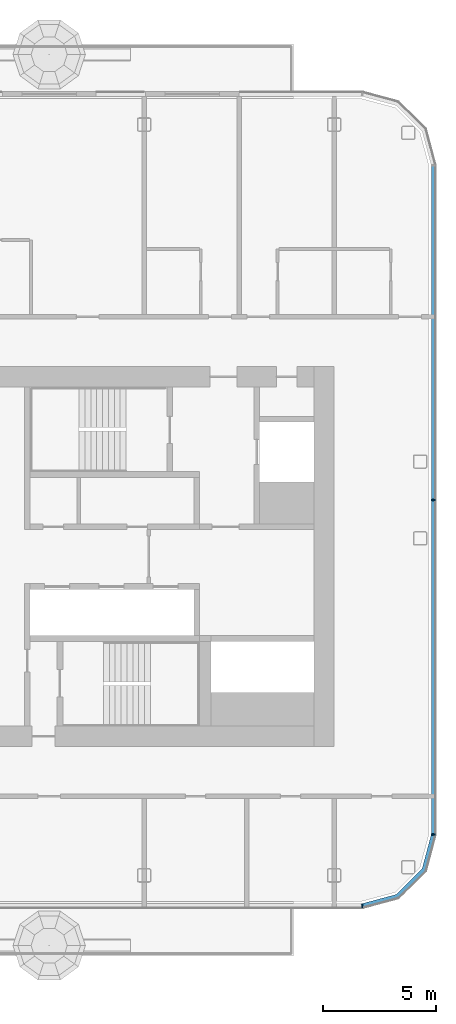
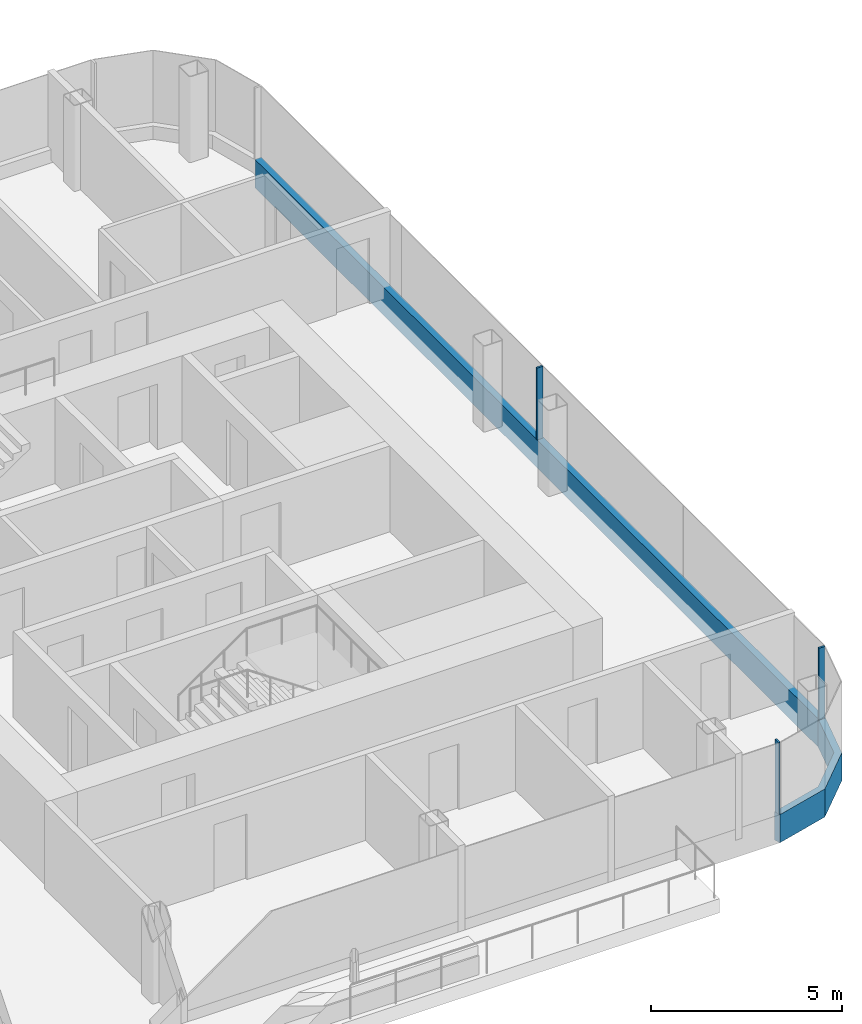
# One storey, part 7 of 28: 5 members, 3 elements without a shape of their own.
"""IFC4 building model written with IfcOpenShell, lengths in metres."""

from ifc_helpers import new_model, si_unit, direction, frame, origin, origin_2d, place, context, subcontext, project, spatial, polyline, rectangle, outline, extrude, material, layer, layer_set, material_profile, profile_set, type_object, element, aggregate, save


model = new_model("IFC4")

# Units and contexts
model_context = context("Model", 3, precision=1e-05, world=origin(), true_north=direction((0.0, 1.0)))
body_context = subcontext(model_context, "Body", "Model", "MODEL_VIEW")
ifc_project = project(units=[si_unit("LENGTHUNIT", "METRE"), si_unit("AREAUNIT", "SQUARE_METRE"), si_unit("VOLUMEUNIT", "CUBIC_METRE"), si_unit("PLANEANGLEUNIT", "RADIAN"), si_unit("MASSUNIT", "GRAM", prefix="KILO")], contexts=[model_context])

# Site, building, storey
site_placement = place(None, origin())
site = spatial("IfcSite", under=ifc_project, at=site_placement, CompositionType="ELEMENT")
building_placement = place(site_placement, origin())
building = spatial("IfcBuilding", under=site, at=building_placement, Name="Hakoniwa Tower and Hamabe Station Hall", CompositionType="ELEMENT")
storey_placement = place(building_placement, frame((0.0, 0.0, 193.0)))
storey = spatial("IfcBuildingStorey", under=building, at=storey_placement, Name="L54", CompositionType="ELEMENT", Elevation=193.0)

# Curtain wall, member
ifc_material_1 = material(Name="Dark low-e laminated glass", Category="glass")
ifc_layer = layer(ifc_material_1, 0.199951171875)
ifc_layer_set = layer_set([ifc_layer], Name="CW-1 UNITISED GUEST")
curtain_wall_type = type_object("IfcCurtainWallType", Name="CW-1 UNITISED GUEST", PredefinedType="NOTDEFINED", material=ifc_layer_set)
curtain_wall_1_placement = place(storey_placement, origin())
curtain_wall_1 = element("IfcCurtainWall", 1, at=curtain_wall_1_placement, inside=storey, type_object=curtain_wall_type, Name="CW-1 curtain wall", PredefinedType="NOTDEFINED")
ifc_material_2 = material(Name="Aluminium 6063-T5 black anodised", Category="aluminium")
ifc_material_profile_1 = material_profile(ifc_material_2, rectangle(XDim=0.199951171875, YDim=0.89990234375, at=origin_2d()), Name="CW SLAB-EDGE BAND 900X200")
ifc_profile_set_1 = profile_set([ifc_material_profile_1], Name="Aluminium 6063-T5 black anodised")
member_type_1 = type_object("IfcMemberType", Name="CW SLAB-EDGE BAND 900X200", PredefinedType="USERDEFINED", material=ifc_profile_set_1)
member_1_placement = place(storey_placement, frame((38.0, -12.28955078125, -0.10009765625), z_axis=(0.0, 1.0, 0.0), x_axis=(-1.0, 0.0, 0.0)))
member_1 = element("IfcMember", 2, at=member_1_placement, type_object=member_type_1, Name="CW-1 transom", ObjectType="TRANSOM", PredefinedType="USERDEFINED", context=body_context, shape_type="SweptSolid", body=[
    extrude(rectangle(XDim=0.199951171875, YDim=0.89990234375, at=origin_2d()), origin(), (0.0, 0.0, 1.0), 29.5791015625),
])

curtain_wall_2_placement = place(storey_placement, origin())
curtain_wall_2 = element("IfcCurtainWall", 3, at=curtain_wall_2_placement, inside=storey, type_object=curtain_wall_type, Name="CW-1 curtain wall", PredefinedType="NOTDEFINED")
member_2_placement = place(storey_placement, frame((0.0, 0.0, -0.550048828125)))
member_2 = element("IfcMember", 4, at=member_2_placement, type_object=member_type_1, Name="CW-1 transom", ObjectType="TRANSOM", PredefinedType="USERDEFINED", context=body_context, shape_type="SweptSolid", body=[
    extrude(outline(polyline([(34.839599609375, -15.550048828125), (36.455322265625, -15.116943359375), (37.6669921875, -13.9052734375), (38.10009765625, -12.28955078125), (37.90673828125, -12.23779296875), (37.48779296875, -13.8017578125), (36.351806640625, -14.937744140625), (34.787841796875, -15.35693359375), (34.839599609375, -15.550048828125)])), origin(), (0.0, 0.0, 1.0), 0.900146484375),
])
aggregate(curtain_wall_2, [member_2])

# Member
ifc_material_3 = material(Name="Aluminium 6063-T5 black anodised", Category="aluminium")
ifc_material_profile_2 = material_profile(ifc_material_3, rectangle(XDim=0.06005859375, YDim=0.179931640625, at=origin_2d()), Name="CW-1 MULLION 60X180")
ifc_profile_set_2 = profile_set([ifc_material_profile_2], Name="Aluminium 6063-T5 black anodised")
member_type_2 = type_object("IfcMemberType", Name="CW-1 MULLION 60X180", PredefinedType="MULLION", material=ifc_profile_set_2)
member_3_placement = place(storey_placement, frame((37.98193359375, -12.28955078125, 0.35009765625), z_axis=(0.0, 0.0, 1.0), x_axis=(0.0, 1.0, 0.0)))
member_3 = element("IfcMember", 5, at=member_3_placement, type_object=member_type_2, Name="CW-1 mullion", PredefinedType="MULLION", context=body_context, shape_type="SweptSolid", body=[
    extrude(rectangle(XDim=0.06005859375, YDim=0.179931640625, at=origin_2d()), origin(), (0.0, 0.0, 1.0), 2.2998046875),
])

member_4_placement = place(storey_placement, frame((37.98193359375, 2.5, 0.35009765625), z_axis=(0.0, 0.0, 1.0), x_axis=(0.0, 1.0, 0.0)))
member_4 = element("IfcMember", 6, at=member_4_placement, type_object=member_type_2, Name="CW-1 mullion", PredefinedType="MULLION", context=body_context, shape_type="SweptSolid", body=[
    extrude(rectangle(XDim=0.06005859375, YDim=0.179931640625, at=origin_2d()), origin(), (0.0, 0.0, 1.0), 2.2998046875),
])

aggregate(curtain_wall_1, [member_3, member_4, member_1])

# Curtain wall, member
curtain_wall_3_placement = place(storey_placement, origin())
curtain_wall_3 = element("IfcCurtainWall", 7, at=curtain_wall_3_placement, inside=storey, type_object=curtain_wall_type, Name="CW-1 curtain wall", PredefinedType="NOTDEFINED")
member_5_placement = place(storey_placement, frame((34.839599609375, -15.431884765625, 0.35009765625), z_axis=(0.0, 0.0, 1.0), x_axis=(1.0, 0.0, 0.0)))
member_5 = element("IfcMember", 8, at=member_5_placement, type_object=member_type_2, Name="CW-1 mullion", PredefinedType="MULLION", context=body_context, shape_type="SweptSolid", body=[
    extrude(rectangle(XDim=0.06005859375, YDim=0.179931640625, at=origin_2d()), origin(), (0.0, 0.0, 1.0), 2.2998046875),
])
aggregate(curtain_wall_3, [member_5])

save(model, "model.ifc")
